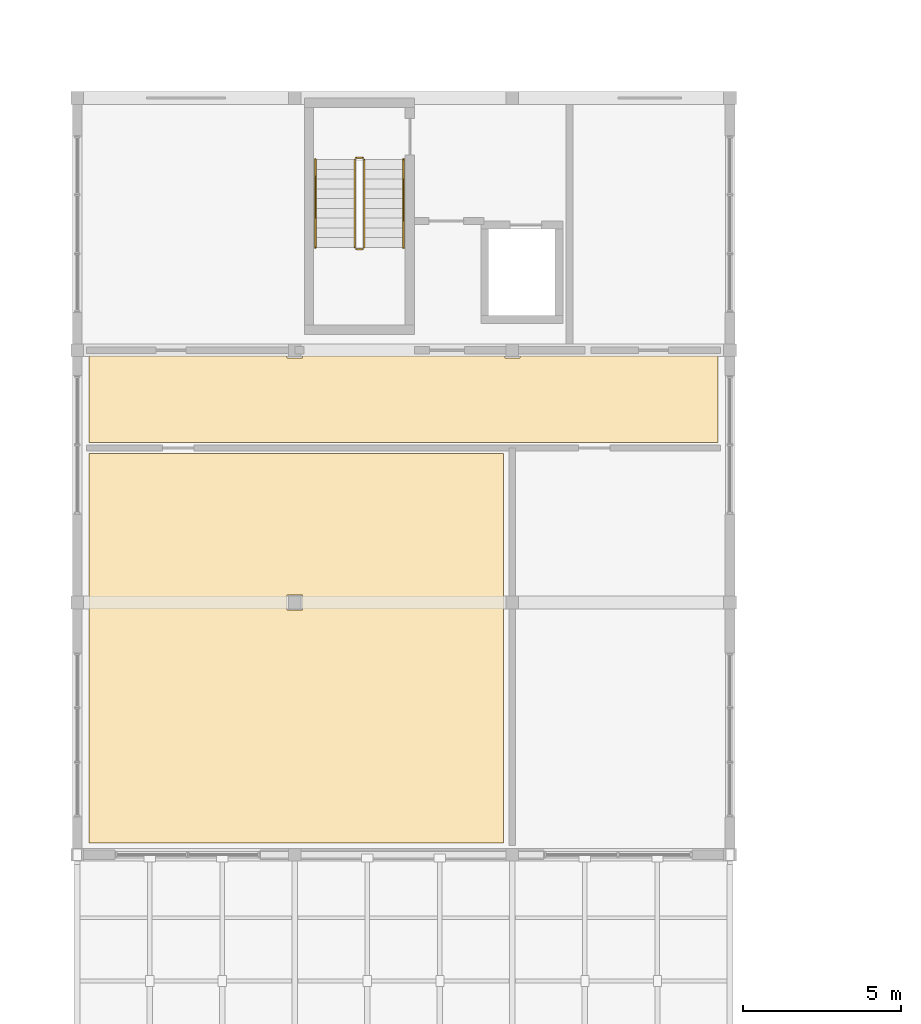
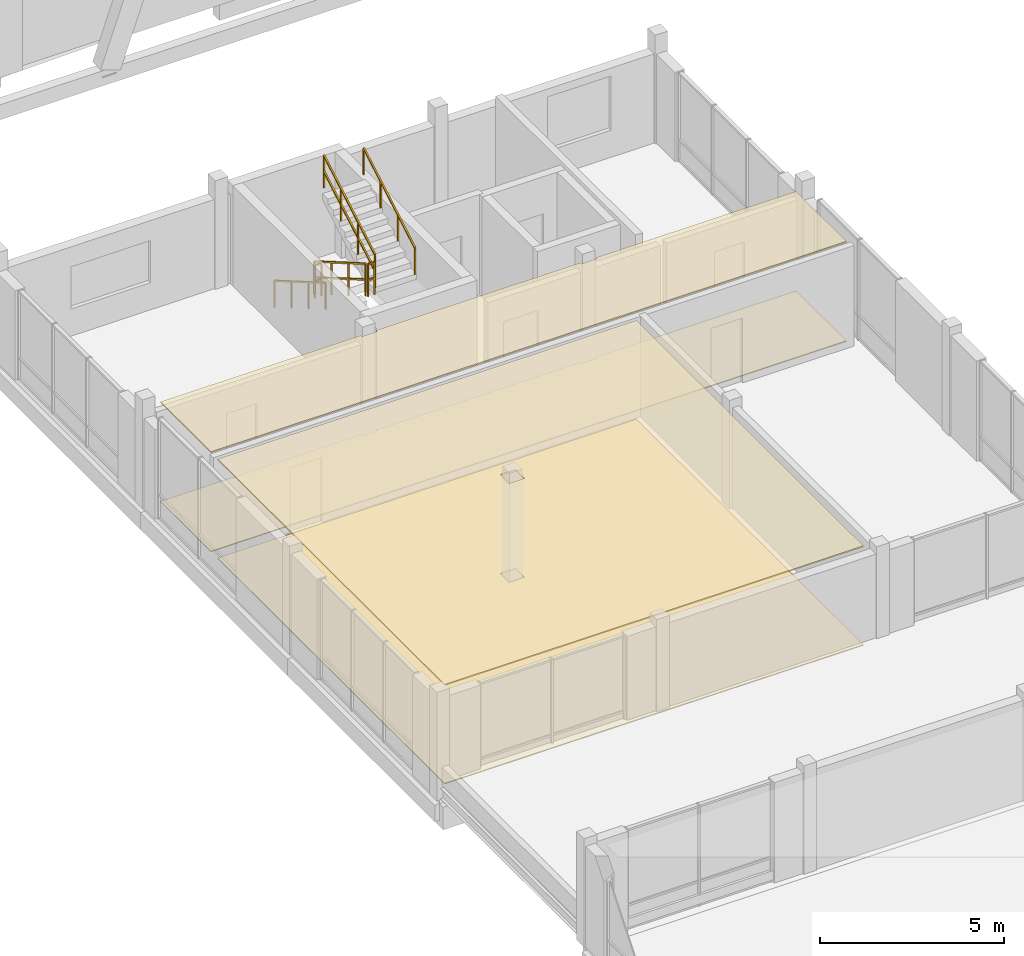
# One storey, part 177 of 189: 6 railings, 4 coverings.
"""IFC4 building model written with IfcOpenShell, lengths in metres."""

from ifc_helpers import new_model, si_unit, direction, frame, origin, origin_2d, place, context, subcontext, project, spatial, polyline, rectangle, outline, extrude, material, layer, layer_set, type_object, element, save


model = new_model("IFC4")

# Units and contexts
model_context = context("Model", 3, precision=1e-05, world=origin(), true_north=direction((0.0, 1.0)))
body_context = subcontext(model_context, "Body", "Model", "MODEL_VIEW")
ifc_project = project(units=[si_unit("LENGTHUNIT", "METRE"), si_unit("AREAUNIT", "SQUARE_METRE"), si_unit("VOLUMEUNIT", "CUBIC_METRE"), si_unit("PLANEANGLEUNIT", "RADIAN"), si_unit("MASSUNIT", "GRAM", prefix="KILO")], contexts=[model_context])

# Site, building, storey
site_placement = place(None, origin())
site = spatial("IfcSite", under=ifc_project, at=site_placement, CompositionType="ELEMENT")
building_placement = place(site_placement, origin())
building = spatial("IfcBuilding", under=site, at=building_placement, Name="Zavelmont Quarter", CompositionType="ELEMENT")
storey_placement = place(building_placement, frame((0.0, 0.0, 4.39990234375)))
storey = spatial("IfcBuildingStorey", under=building, at=storey_placement, Name="L01", CompositionType="ELEMENT", Elevation=4.39990234375)

# Coverings
ifc_material_1 = material(Name="Slatted European ash acoustic baffle ceiling")
ifc_layer_1 = layer(ifc_material_1, 0.0400390625)
ifc_layer_set_1 = layer_set([ifc_layer_1], Name="Slatted European ash acoustic baffle ceiling")
covering_type_1 = type_object("IfcCoveringType", Name="CV-CL02", PredefinedType="CEILING", material=ifc_layer_set_1)
covering_1_placement = place(storey_placement, frame((0.0, 0.0, 3.2900390625)))
element("IfcCovering", 1, at=covering_1_placement, inside=storey, type_object=covering_type_1, Name="L01 North Cafe Mezzanine Corridor acoustic ceiling", PredefinedType="CEILING", context=body_context, shape_type="SweptSolid", body=[
    extrude(outline(polyline([(0.3798828125, 77.820068359375), (6.659912109375, 77.820068359375), (6.659912109375, 77.760009765625), (7.139892578125, 77.760009765625), (7.139892578125, 77.820068359375), (13.56005859375, 77.820068359375), (13.56005859375, 77.760009765625), (14.0400390625, 77.760009765625), (14.0400390625, 77.820068359375), (20.320068359375, 77.820068359375), (20.320068359375, 75.080078125), (0.3798828125, 75.080078125), (0.3798828125, 77.820068359375)])), origin(), (0.0, 0.0, 1.0), 0.0400390625),
])
covering_2_placement = place(storey_placement, frame((0.0, 0.0, 3.27001953125)))
element("IfcCovering", 2, at=covering_2_placement, inside=storey, type_object=covering_type_1, Name="L01 Cafe Upper Terrace Lounge acoustic ceiling", PredefinedType="CEILING", context=body_context, shape_type="SweptSolid", body=[
    extrude(outline(polyline([(0.3798828125, 74.719970703125), (13.52001953125, 74.719970703125), (13.52001953125, 62.3798828125), (0.3798828125, 62.3798828125), (0.3798828125, 74.719970703125)]), holes=[polyline([(7.139892578125, 70.239990234375), (6.659912109375, 70.239990234375), (6.659912109375, 69.760009765625), (7.139892578125, 69.760009765625), (7.139892578125, 70.239990234375)])]), origin(), (0.0, 0.0, 1.0), 0.0400390625),
])
ifc_material_2 = material(Name="Honed Belgian bluestone tile", Category="masonry")
ifc_layer_2 = layer(ifc_material_2, 0.030029296875)
ifc_layer_set_2 = layer_set([ifc_layer_2], Name="Honed Belgian bluestone tile")
covering_type_2 = type_object("IfcCoveringType", Name="CV-FL02", PredefinedType="FLOORING", material=ifc_layer_set_2)
covering_3_placement = place(storey_placement, origin())
element("IfcCovering", 3, at=covering_3_placement, inside=storey, type_object=covering_type_2, Name="L01 North Cafe Mezzanine Corridor floor finish", PredefinedType="FLOORING", context=body_context, shape_type="SweptSolid", body=[
    extrude(outline(polyline([(0.3798828125, 77.820068359375), (6.659912109375, 77.820068359375), (6.659912109375, 77.760009765625), (7.139892578125, 77.760009765625), (7.139892578125, 77.820068359375), (13.56005859375, 77.820068359375), (13.56005859375, 77.760009765625), (14.0400390625, 77.760009765625), (14.0400390625, 77.820068359375), (20.320068359375, 77.820068359375), (20.320068359375, 75.080078125), (0.3798828125, 75.080078125), (0.3798828125, 77.820068359375)])), origin(), (0.0, 0.0, 1.0), 0.030029296875),
])
covering_4_placement = place(storey_placement, origin())
element("IfcCovering", 4, at=covering_4_placement, inside=storey, type_object=covering_type_2, Name="L01 Cafe Upper Terrace Lounge floor finish", PredefinedType="FLOORING", context=body_context, shape_type="SweptSolid", body=[
    extrude(outline(polyline([(0.3798828125, 74.719970703125), (13.52001953125, 74.719970703125), (13.52001953125, 62.3798828125), (0.3798828125, 62.3798828125), (0.3798828125, 74.719970703125)]), holes=[polyline([(7.139892578125, 70.239990234375), (6.659912109375, 70.239990234375), (6.659912109375, 69.760009765625), (7.139892578125, 69.760009765625), (7.139892578125, 70.239990234375)])]), origin(), (0.0, 0.0, 1.0), 0.030029296875),
])

# Railings
ifc_material_3 = material(Name="Powder-coated steel stair guardrail", Category="steel")
railing_type_1 = type_object("IfcRailingType", Name="RL-GRD1", PredefinedType="GUARDRAIL", material=ifc_material_3)
railing_1_placement = place(storey_placement, frame((8.800048828125, 84.050048828125, 0.18017578125)))
element("IfcRailing", 5, at=railing_1_placement, inside=storey, type_object=railing_type_1, Name="L01 ST14 stair guardrail 1", PredefinedType="GUARDRAIL", context=body_context, shape_type="SweptSolid", body=[
    extrude(rectangle(XDim=0.048095703125, YDim=0.048095703125, at=origin_2d()), frame((0.0, 0.0, 1.076171875), z_axis=(0.0, -0.864809086542, 0.502100830347), x_axis=(1.0, 0.0, 0.0)), (0.0, 0.0, 1.0), 3.22607421875),
    extrude(rectangle(XDim=0.048095703125, YDim=0.048095703125, at=origin_2d()), frame((0.0, 0.0, 0.550048828125), z_axis=(0.0, -0.864809086542, 0.502100830347), x_axis=(1.0, 0.0, 0.0)), (0.0, 0.0, 1.0), 3.22607421875),
    extrude(rectangle(XDim=0.0419921875, YDim=0.0419921875, at=origin_2d()), origin(), (0.0, 0.0, 1.0), 1.052001953125),
    extrude(rectangle(XDim=0.0419921875, YDim=0.0419921875, at=origin_2d()), frame((0.0, -0.929931640625, 0.5400390625)), (0.0, 0.0, 1.0), 1.052001953125),
    extrude(rectangle(XDim=0.0419921875, YDim=0.0419921875, at=origin_2d()), frame((0.0, -1.860107421875, 1.079833984375)), (0.0, 0.0, 1.0), 1.052001953125),
    extrude(rectangle(XDim=0.0419921875, YDim=0.0419921875, at=origin_2d()), frame((0.0, -2.7900390625, 1.619873046875)), (0.0, 0.0, 1.0), 1.052001953125),
])
railing_2_placement = place(storey_placement, frame((8.85009765625, 81.2099609375, 1.800048828125)))
element("IfcRailing", 6, at=railing_2_placement, inside=storey, type_object=railing_type_1, Name="L01 ST14 stair guardrail 2", PredefinedType="GUARDRAIL", context=body_context, shape_type="SweptSolid", body=[
    extrude(rectangle(XDim=0.048095703125, YDim=0.048095703125, at=origin_2d()), frame((0.0, 0.0, 1.076171875), z_axis=(1.0, 0.0, 0.0), x_axis=(0.0, 1.0, 0.0)), (0.0, 0.0, 1.0), 0.199951171875),
    extrude(rectangle(XDim=0.048095703125, YDim=0.048095703125, at=origin_2d()), frame((0.0, 0.0, 0.550048828125), z_axis=(1.0, 0.0, 0.0), x_axis=(0.0, 1.0, 0.0)), (0.0, 0.0, 1.0), 0.199951171875),
    extrude(rectangle(XDim=0.0419921875, YDim=0.0419921875, at=origin_2d()), origin(), (0.0, 0.0, 1.0), 1.052001953125),
    extrude(rectangle(XDim=0.0419921875, YDim=0.0419921875, at=origin_2d()), frame((0.199951171875, 0.0, 0.0)), (0.0, 0.0, 1.0), 1.052001953125),
])
railing_3_placement = place(storey_placement, frame((9.10009765625, 81.260009765625, 1.97998046875)))
element("IfcRailing", 7, at=railing_3_placement, inside=storey, type_object=railing_type_1, Name="L01 ST14 stair guardrail 3", PredefinedType="GUARDRAIL", context=body_context, shape_type="SweptSolid", body=[
    extrude(rectangle(XDim=0.048095703125, YDim=0.048095703125, at=origin_2d()), frame((0.0, 0.0, 1.076171875), z_axis=(0.0, 0.86477622642, 0.502157423742), x_axis=(-1.0, 0.0, 0.0)), (0.0, 0.0, 1.0), 3.226318359375),
    extrude(rectangle(XDim=0.048095703125, YDim=0.048095703125, at=origin_2d()), frame((0.0, 0.0, 0.550048828125), z_axis=(0.0, 0.86477622642, 0.502157423742), x_axis=(-1.0, 0.0, 0.0)), (0.0, 0.0, 1.0), 3.226318359375),
    extrude(rectangle(XDim=0.0419921875, YDim=0.0419921875, at=origin_2d()), origin(), (0.0, 0.0, 1.0), 1.052001953125),
    extrude(rectangle(XDim=0.0419921875, YDim=0.0419921875, at=origin_2d()), frame((0.0, 0.929931640625, 0.5400390625)), (0.0, 0.0, 1.0), 1.052001953125),
    extrude(rectangle(XDim=0.0419921875, YDim=0.0419921875, at=origin_2d()), frame((0.0, 1.860107421875, 1.080078125)), (0.0, 0.0, 1.0), 1.052001953125),
    extrude(rectangle(XDim=0.0419921875, YDim=0.0419921875, at=origin_2d()), frame((0.0, 2.7900390625, 1.6201171875)), (0.0, 0.0, 1.0), 1.052001953125),
])
railing_4_placement = place(storey_placement, frame((8.85009765625, 84.10009765625, 0.0)))
element("IfcRailing", 8, at=railing_4_placement, inside=storey, type_object=railing_type_1, Name="L01 ST14 stair guardrail 4", PredefinedType="GUARDRAIL", context=body_context, shape_type="SweptSolid", body=[
    extrude(rectangle(XDim=0.048095703125, YDim=0.048095703125, at=origin_2d()), frame((0.0, 0.0, 1.076171875), z_axis=(1.0, 0.0, 0.0), x_axis=(0.0, 1.0, 0.0)), (0.0, 0.0, 1.0), 0.199951171875),
    extrude(rectangle(XDim=0.048095703125, YDim=0.048095703125, at=origin_2d()), frame((0.0, 0.0, 0.550048828125), z_axis=(1.0, 0.0, 0.0), x_axis=(0.0, 1.0, 0.0)), (0.0, 0.0, 1.0), 0.199951171875),
    extrude(rectangle(XDim=0.0419921875, YDim=0.0419921875, at=origin_2d()), origin(), (0.0, 0.0, 1.0), 1.052001953125),
    extrude(rectangle(XDim=0.0419921875, YDim=0.0419921875, at=origin_2d()), frame((0.199951171875, 0.0, 0.0)), (0.0, 0.0, 1.0), 1.052001953125),
])
ifc_material_4 = material(Name="Brushed stainless-steel wall handrail", Category="steel")
railing_type_2 = type_object("IfcRailingType", Name="RL-HND1", PredefinedType="HANDRAIL", material=ifc_material_4)
railing_5_placement = place(storey_placement, frame((7.550048828125, 84.050048828125, 0.18017578125)))
element("IfcRailing", 9, at=railing_5_placement, inside=storey, type_object=railing_type_2, Name="L01 ST14 stair handrail 1", PredefinedType="HANDRAIL", context=body_context, shape_type="SweptSolid", body=[
    extrude(rectangle(XDim=0.048095703125, YDim=0.048095703125, at=origin_2d()), frame((0.0, 0.0, 0.8759765625), z_axis=(0.0, -0.864809086542, 0.502100830347), x_axis=(1.0, 0.0, 0.0)), (0.0, 0.0, 1.0), 3.22607421875),
    extrude(rectangle(XDim=0.0419921875, YDim=0.0419921875, at=origin_2d()), origin(), (0.0, 0.0, 1.0), 0.851806640625),
    extrude(rectangle(XDim=0.0419921875, YDim=0.0419921875, at=origin_2d()), frame((0.0, -0.929931640625, 0.5400390625)), (0.0, 0.0, 1.0), 0.851806640625),
    extrude(rectangle(XDim=0.0419921875, YDim=0.0419921875, at=origin_2d()), frame((0.0, -1.860107421875, 1.079833984375)), (0.0, 0.0, 1.0), 0.851806640625),
    extrude(rectangle(XDim=0.0419921875, YDim=0.0419921875, at=origin_2d()), frame((0.0, -2.7900390625, 1.619873046875)), (0.0, 0.0, 1.0), 0.851806640625),
])
railing_6_placement = place(storey_placement, frame((10.35009765625, 81.260009765625, 1.97998046875)))
element("IfcRailing", 10, at=railing_6_placement, inside=storey, type_object=railing_type_2, Name="L01 ST14 stair handrail 2", PredefinedType="HANDRAIL", context=body_context, shape_type="SweptSolid", body=[
    extrude(rectangle(XDim=0.048095703125, YDim=0.048095703125, at=origin_2d()), frame((0.0, 0.0, 0.8759765625), z_axis=(0.0, 0.86477622642, 0.502157423742), x_axis=(-1.0, 0.0, 0.0)), (0.0, 0.0, 1.0), 3.226318359375),
    extrude(rectangle(XDim=0.0419921875, YDim=0.0419921875, at=origin_2d()), origin(), (0.0, 0.0, 1.0), 0.851806640625),
    extrude(rectangle(XDim=0.0419921875, YDim=0.0419921875, at=origin_2d()), frame((0.0, 0.929931640625, 0.5400390625)), (0.0, 0.0, 1.0), 0.851806640625),
    extrude(rectangle(XDim=0.0419921875, YDim=0.0419921875, at=origin_2d()), frame((0.0, 1.860107421875, 1.080078125)), (0.0, 0.0, 1.0), 0.851806640625),
    extrude(rectangle(XDim=0.0419921875, YDim=0.0419921875, at=origin_2d()), frame((0.0, 2.7900390625, 1.6201171875)), (0.0, 0.0, 1.0), 0.851806640625),
])

save(model, "model.ifc")
